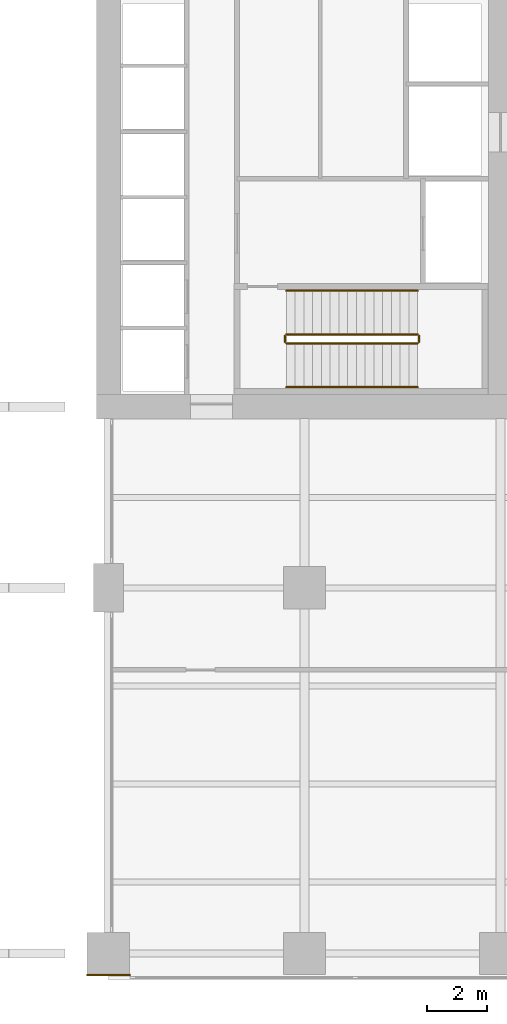
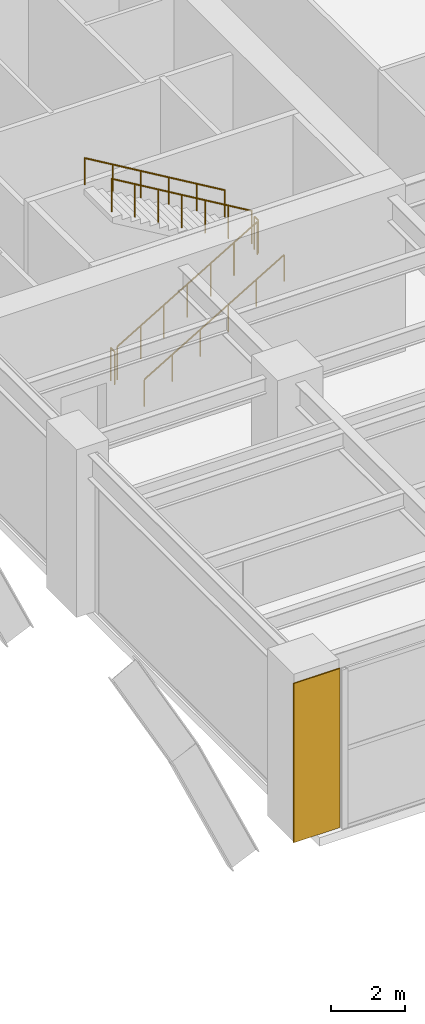
# One storey, part 15 of 17: 6 railings, 1 covering.
"""IFC4 building model written with IfcOpenShell, lengths in metres."""

from ifc_helpers import new_model, si_unit, direction, frame, origin, origin_2d, place, context, subcontext, project, spatial, rectangle, circle, extrude, material, layer, layer_set, type_object, element, save


model = new_model("IFC4")

# Units and contexts
model_context = context("Model", 3, precision=1e-05, world=origin(), true_north=direction((0.0, 1.0)))
body_context = subcontext(model_context, "Body", "Model", "MODEL_VIEW")
ifc_project = project(units=[si_unit("LENGTHUNIT", "METRE"), si_unit("AREAUNIT", "SQUARE_METRE"), si_unit("VOLUMEUNIT", "CUBIC_METRE"), si_unit("PLANEANGLEUNIT", "RADIAN"), si_unit("MASSUNIT", "GRAM", prefix="KILO")], contexts=[model_context])

# Site, building, storey
site_placement = place(None, origin())
site = spatial("IfcSite", under=ifc_project, at=site_placement, CompositionType="ELEMENT")
building_placement = place(site_placement, origin())
building = spatial("IfcBuilding", under=site, at=building_placement, Name="Putna Gate Headquarters", CompositionType="ELEMENT")
storey_placement = place(building_placement, frame((0.0, 0.0, 6.0)))
storey = spatial("IfcBuildingStorey", under=building, at=storey_placement, Name="L01", CompositionType="ELEMENT", Elevation=6.0)

# Covering
ifc_material_1 = material(Name="Anodised architectural bronze rainscreen cladding", Category="aluminium")
ifc_layer = layer(ifc_material_1, 0.0400390625)
ifc_layer_set = layer_set([ifc_layer], Name="Anodised architectural bronze rainscreen cladding")
covering_type = type_object("IfcCoveringType", Name="COV-BRONZE-CLADDING", PredefinedType="CLADDING", material=ifc_layer_set)
covering_placement = place(storey_placement, frame((52.0, 0.1650390625, 0.0), z_axis=(0.0, 0.0, 1.0), x_axis=(1.0, 0.0, 0.0)))
element("IfcCovering", 1, at=covering_placement, inside=storey, type_object=covering_type, Name="L01 Giant Arch Pier Bronze Cladding ES", PredefinedType="CLADDING", context=body_context, shape_type="SweptSolid", body=[
    extrude(rectangle(XDim=1.43994140625, YDim=0.0400390625, at=origin_2d()), origin(), (0.0, 0.0, 1.0), 5.219970703125),
])

# Railings
ifc_material_2 = material(Name="Powder-coated steel stair guardrail", Category="steel")
railing_type_1 = type_object("IfcRailingType", Name="RAIL-STAIR-GUARD-1100", PredefinedType="GUARDRAIL", material=ifc_material_2)
railing_1_placement = place(storey_placement, frame((57.89990234375, 21.10009765625, 0.171875)))
element("IfcRailing", 2, at=railing_1_placement, inside=storey, type_object=railing_type_1, Name="L01 ST2 stair guard 1", PredefinedType="GUARDRAIL", context=body_context, shape_type="SweptSolid", body=[
    extrude(circle(Radius=0.02392578125, at=origin_2d()), frame((0.0, 0.0, 1.076171875), z_axis=(0.860266436404, 0.0, 0.509844739501), x_axis=(0.0, 1.0, 0.0)), (0.0, 0.0, 1.0), 5.056640625),
    extrude(circle(Radius=0.02099609375, at=origin_2d()), origin(), (0.0, 0.0, 1.0), 1.052001953125),
    extrude(circle(Radius=0.02099609375, at=origin_2d()), frame((0.72509765625, 0.0, 0.4296875)), (0.0, 0.0, 1.0), 1.052001953125),
    extrude(circle(Radius=0.02099609375, at=origin_2d()), frame((1.449951171875, 0.0, 0.859375)), (0.0, 0.0, 1.0), 1.052001953125),
    extrude(circle(Radius=0.02099609375, at=origin_2d()), frame((2.175048828125, 0.0, 1.2890625)), (0.0, 0.0, 1.0), 1.052001953125),
    extrude(circle(Radius=0.02099609375, at=origin_2d()), frame((2.900146484375, 0.0, 1.71875)), (0.0, 0.0, 1.0), 1.052001953125),
    extrude(circle(Radius=0.02099609375, at=origin_2d()), frame((3.625, 0.0, 2.1484375)), (0.0, 0.0, 1.0), 1.052001953125),
    extrude(circle(Radius=0.02099609375, at=origin_2d()), frame((4.35009765625, 0.0, 2.578125)), (0.0, 0.0, 1.0), 1.052001953125),
])
railing_2_placement = place(storey_placement, frame((62.300048828125, 21.14990234375, 2.75)))
element("IfcRailing", 3, at=railing_2_placement, inside=storey, type_object=railing_type_1, Name="L01 ST2 stair guard 2", PredefinedType="GUARDRAIL", context=body_context, shape_type="SweptSolid", body=[
    extrude(circle(Radius=0.02392578125, at=origin_2d()), frame((0.0, 0.0, 1.076171875), z_axis=(0.0, 1.0, 0.0), x_axis=(-1.0, 0.0, 0.0)), (0.0, 0.0, 1.0), 0.2001953125),
    extrude(circle(Radius=0.02099609375, at=origin_2d()), origin(), (0.0, 0.0, 1.0), 1.052001953125),
    extrude(circle(Radius=0.02099609375, at=origin_2d()), frame((0.0, 0.2001953125, 0.0)), (0.0, 0.0, 1.0), 1.052001953125),
])
railing_3_placement = place(storey_placement, frame((62.25, 21.39990234375, 2.921875)))
element("IfcRailing", 4, at=railing_3_placement, inside=storey, type_object=railing_type_1, Name="L01 ST2 stair guard 3", PredefinedType="GUARDRAIL", context=body_context, shape_type="SweptSolid", body=[
    extrude(circle(Radius=0.02392578125, at=origin_2d()), frame((0.0, 0.0, 1.076171875), z_axis=(-0.860266436404, 0.0, 0.509844739501), x_axis=(0.0, -1.0, 0.0)), (0.0, 0.0, 1.0), 5.056640625),
    extrude(circle(Radius=0.02099609375, at=origin_2d()), origin(), (0.0, 0.0, 1.0), 1.052001953125),
    extrude(circle(Radius=0.02099609375, at=origin_2d()), frame((-0.72509765625, 0.0, 0.4296875)), (0.0, 0.0, 1.0), 1.052001953125),
    extrude(circle(Radius=0.02099609375, at=origin_2d()), frame((-1.449951171875, 0.0, 0.859375)), (0.0, 0.0, 1.0), 1.052001953125),
    extrude(circle(Radius=0.02099609375, at=origin_2d()), frame((-2.175048828125, 0.0, 1.2890625)), (0.0, 0.0, 1.0), 1.052001953125),
    extrude(circle(Radius=0.02099609375, at=origin_2d()), frame((-2.900146484375, 0.0, 1.71875)), (0.0, 0.0, 1.0), 1.052001953125),
    extrude(circle(Radius=0.02099609375, at=origin_2d()), frame((-3.625, 0.0, 2.1484375)), (0.0, 0.0, 1.0), 1.052001953125),
    extrude(circle(Radius=0.02099609375, at=origin_2d()), frame((-4.35009765625, 0.0, 2.578125)), (0.0, 0.0, 1.0), 1.052001953125),
])
railing_4_placement = place(storey_placement, frame((57.85009765625, 21.14990234375, 0.0)))
element("IfcRailing", 5, at=railing_4_placement, inside=storey, type_object=railing_type_1, Name="L01 ST2 stair guard 4", PredefinedType="GUARDRAIL", context=body_context, shape_type="SweptSolid", body=[
    extrude(circle(Radius=0.02392578125, at=origin_2d()), frame((0.0, 0.0, 1.076171875), z_axis=(0.0, 1.0, 0.0), x_axis=(-1.0, 0.0, 0.0)), (0.0, 0.0, 1.0), 0.2001953125),
    extrude(circle(Radius=0.02099609375, at=origin_2d()), origin(), (0.0, 0.0, 1.0), 1.052001953125),
    extrude(circle(Radius=0.02099609375, at=origin_2d()), frame((0.0, 0.2001953125, 0.0)), (0.0, 0.0, 1.0), 1.052001953125),
])
ifc_material_3 = material(Name="Brushed stainless steel handrail", Category="steel")
railing_type_2 = type_object("IfcRailingType", Name="RAIL-STAIR-HAND-900", PredefinedType="HANDRAIL", material=ifc_material_3)
railing_5_placement = place(storey_placement, frame((57.89990234375, 19.64990234375, 0.171875)))
element("IfcRailing", 6, at=railing_5_placement, inside=storey, type_object=railing_type_2, Name="L01 ST2 stair handrail 1", PredefinedType="HANDRAIL", context=body_context, shape_type="SweptSolid", body=[
    extrude(circle(Radius=0.02392578125, at=origin_2d()), frame((0.0, 0.0, 0.8759765625), z_axis=(0.860266436404, 0.0, 0.509844739501), x_axis=(0.0, 1.0, 0.0)), (0.0, 0.0, 1.0), 5.056640625),
    extrude(circle(Radius=0.02099609375, at=origin_2d()), origin(), (0.0, 0.0, 1.0), 0.851806640625),
    extrude(circle(Radius=0.02099609375, at=origin_2d()), frame((0.8701171875, 0.0, 0.515625)), (0.0, 0.0, 1.0), 0.851806640625),
    extrude(circle(Radius=0.02099609375, at=origin_2d()), frame((1.739990234375, 0.0, 1.03125)), (0.0, 0.0, 1.0), 0.851806640625),
    extrude(circle(Radius=0.02099609375, at=origin_2d()), frame((2.610107421875, 0.0, 1.546875)), (0.0, 0.0, 1.0), 0.851806640625),
    extrude(circle(Radius=0.02099609375, at=origin_2d()), frame((3.47998046875, 0.0, 2.0625)), (0.0, 0.0, 1.0), 0.851806640625),
    extrude(circle(Radius=0.02099609375, at=origin_2d()), frame((4.35009765625, 0.0, 2.578125)), (0.0, 0.0, 1.0), 0.851806640625),
])
railing_6_placement = place(storey_placement, frame((62.25, 22.85009765625, 2.921875)))
element("IfcRailing", 7, at=railing_6_placement, inside=storey, type_object=railing_type_2, Name="L01 ST2 stair handrail 2", PredefinedType="HANDRAIL", context=body_context, shape_type="SweptSolid", body=[
    extrude(circle(Radius=0.02392578125, at=origin_2d()), frame((0.0, 0.0, 0.8759765625), z_axis=(-0.860266436404, 0.0, 0.509844739501), x_axis=(0.0, -1.0, 0.0)), (0.0, 0.0, 1.0), 5.056640625),
    extrude(circle(Radius=0.02099609375, at=origin_2d()), origin(), (0.0, 0.0, 1.0), 0.851806640625),
    extrude(circle(Radius=0.02099609375, at=origin_2d()), frame((-0.8701171875, 0.0, 0.515625)), (0.0, 0.0, 1.0), 0.851806640625),
    extrude(circle(Radius=0.02099609375, at=origin_2d()), frame((-1.739990234375, 0.0, 1.03125)), (0.0, 0.0, 1.0), 0.851806640625),
    extrude(circle(Radius=0.02099609375, at=origin_2d()), frame((-2.610107421875, 0.0, 1.546875)), (0.0, 0.0, 1.0), 0.851806640625),
    extrude(circle(Radius=0.02099609375, at=origin_2d()), frame((-3.47998046875, 0.0, 2.0625)), (0.0, 0.0, 1.0), 0.851806640625),
    extrude(circle(Radius=0.02099609375, at=origin_2d()), frame((-4.35009765625, 0.0, 2.578125)), (0.0, 0.0, 1.0), 0.851806640625),
])

save(model, "model.ifc")
